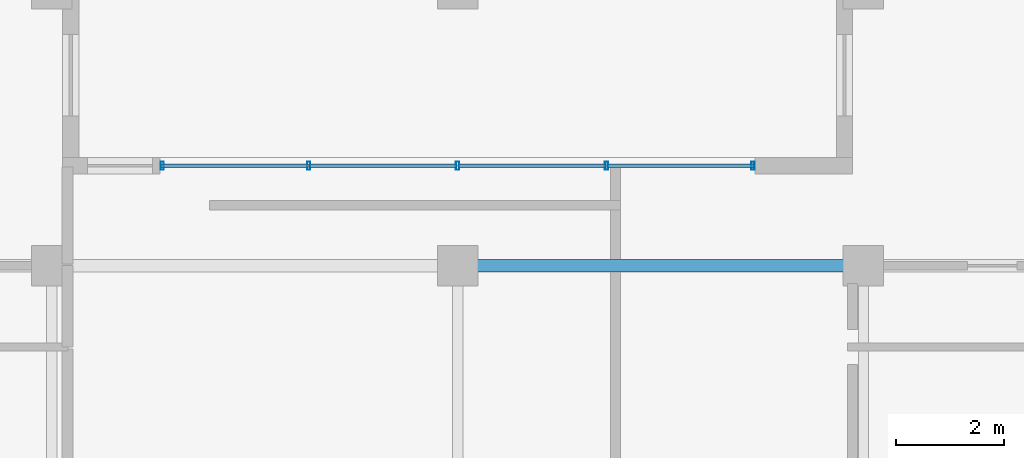
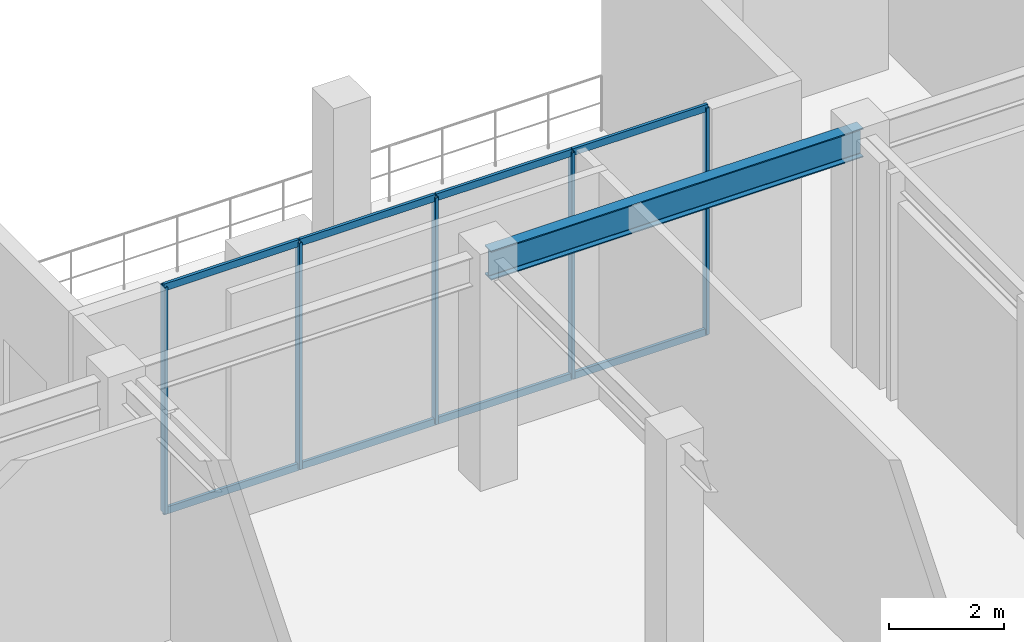
# One storey, part 2 of 11: 13 members, 1 beam, 1 element without a shape of its own.
"""IFC4 building model written with IfcOpenShell, lengths in metres."""

from ifc_helpers import new_model, si_unit, direction, frame, origin, origin_2d, place, context, subcontext, project, spatial, hollow_rectangle, i_section, extrude, material, material_profile, profile_set, type_object, element, aggregate, save


model = new_model("IFC4")

# Units and contexts
model_context = context("Model", 3, precision=1e-05, world=origin(), true_north=direction((0.0, 1.0)))
body_context = subcontext(model_context, "Body", "Model", "MODEL_VIEW")
ifc_project = project(units=[si_unit("LENGTHUNIT", "METRE"), si_unit("AREAUNIT", "SQUARE_METRE"), si_unit("VOLUMEUNIT", "CUBIC_METRE"), si_unit("PLANEANGLEUNIT", "RADIAN"), si_unit("MASSUNIT", "GRAM", prefix="KILO")], contexts=[model_context])

# Site, building, storey
site_placement = place(None, origin())
site = spatial("IfcSite", under=ifc_project, at=site_placement, CompositionType="ELEMENT")
building_placement = place(site_placement, origin())
building = spatial("IfcBuilding", under=site, at=building_placement, Name="Ventersveld Concourse Tower", CompositionType="ELEMENT")
storey_placement = place(building_placement, frame((0.0, 0.0, 140.14990234375)))
storey = spatial("IfcBuildingStorey", under=building, at=storey_placement, Name="L34", CompositionType="ELEMENT", Elevation=140.14990234375)

# Curtain wall, members
ifc_material_1 = material(Name="Anodised aluminium EN AW-6063-T6", Category="aluminium")
curtain_wall_type = type_object("IfcCurtainWallType", Name="CW-SG-4", PredefinedType="NOTDEFINED", material=ifc_material_1)
curtain_wall_placement = place(storey_placement, origin())
curtain_wall = element("IfcCurtainWall", 1, at=curtain_wall_placement, inside=storey, type_object=curtain_wall_type, Name="L34 L34 Sky Garden Recessed Curtain Wall", PredefinedType="NOTDEFINED")
ifc_material_profile_1 = material_profile(ifc_material_1, hollow_rectangle(XDim=0.06005859375, YDim=0.14990234375, WallThickness=0.00390625, at=origin_2d()), Name="ALU 150x60x4")
ifc_profile_set_1 = profile_set([ifc_material_profile_1], Name="Anodised aluminium EN AW-6063-T6")
member_type_1 = type_object("IfcMemberType", Name="CWM-150x65", PredefinedType="MULLION", material=ifc_profile_set_1)
member_1_placement = place(storey_placement, frame((23.2900390625, 36.85009765625, 0.0), z_axis=(0.0, 0.0, 1.0), x_axis=(1.0, 0.0, 0.0)))
member_1 = element("IfcMember", 2, at=member_1_placement, type_object=member_type_1, Name="CW-L34-SG Mullion 01", PredefinedType="MULLION", context=body_context, shape_type="SweptSolid", body=[
    extrude(hollow_rectangle(XDim=0.06005859375, YDim=0.14990234375, WallThickness=0.00390625, at=origin_2d()), origin(), (0.0, 0.0, 1.0), 4.830078125),
])
member_2_placement = place(storey_placement, frame((26.0, 36.85009765625, 0.0), z_axis=(0.0, 0.0, 1.0), x_axis=(1.0, 0.0, 0.0)))
member_2 = element("IfcMember", 3, at=member_2_placement, type_object=member_type_1, Name="CW-L34-SG Mullion 02", PredefinedType="MULLION", context=body_context, shape_type="SweptSolid", body=[
    extrude(hollow_rectangle(XDim=0.06005859375, YDim=0.14990234375, WallThickness=0.00390625, at=origin_2d()), origin(), (0.0, 0.0, 1.0), 4.830078125),
])
member_3_placement = place(storey_placement, frame((28.75, 36.85009765625, 0.0), z_axis=(0.0, 0.0, 1.0), x_axis=(1.0, 0.0, 0.0)))
member_3 = element("IfcMember", 4, at=member_3_placement, type_object=member_type_1, Name="CW-L34-SG Mullion 03", PredefinedType="MULLION", context=body_context, shape_type="SweptSolid", body=[
    extrude(hollow_rectangle(XDim=0.06005859375, YDim=0.14990234375, WallThickness=0.00390625, at=origin_2d()), origin(), (0.0, 0.0, 1.0), 4.830078125),
])
member_4_placement = place(storey_placement, frame((31.5, 36.85009765625, 0.0), z_axis=(0.0, 0.0, 1.0), x_axis=(1.0, 0.0, 0.0)))
member_4 = element("IfcMember", 5, at=member_4_placement, type_object=member_type_1, Name="CW-L34-SG Mullion 04", PredefinedType="MULLION", context=body_context, shape_type="SweptSolid", body=[
    extrude(hollow_rectangle(XDim=0.06005859375, YDim=0.14990234375, WallThickness=0.00390625, at=origin_2d()), origin(), (0.0, 0.0, 1.0), 4.830078125),
])
member_5_placement = place(storey_placement, frame((34.2099609375, 36.85009765625, 0.0), z_axis=(0.0, 0.0, 1.0), x_axis=(1.0, 0.0, 0.0)))
member_5 = element("IfcMember", 6, at=member_5_placement, type_object=member_type_1, Name="CW-L34-SG Mullion 05", PredefinedType="MULLION", context=body_context, shape_type="SweptSolid", body=[
    extrude(hollow_rectangle(XDim=0.06005859375, YDim=0.14990234375, WallThickness=0.00390625, at=origin_2d()), origin(), (0.0, 0.0, 1.0), 4.830078125),
])
ifc_material_profile_2 = material_profile(ifc_material_1, hollow_rectangle(XDim=0.06005859375, YDim=0.14990234375, WallThickness=0.00390625, at=origin_2d()), Name="ALU 150x60x4")
ifc_profile_set_2 = profile_set([ifc_material_profile_2], Name="Anodised aluminium EN AW-6063-T6")
member_type_2 = type_object("IfcMemberType", Name="CWT-150x60", PredefinedType="USERDEFINED", material=ifc_profile_set_2)
member_6_placement = place(storey_placement, frame((23.27001953125, 36.85009765625, 0.030029296875), z_axis=(1.0, 0.0, 0.0), x_axis=(0.0, 1.0, 0.0)))
member_6 = element("IfcMember", 7, at=member_6_placement, type_object=member_type_2, Name="CW-L34-SG Transom 1-01", ObjectType="TRANSOM", PredefinedType="USERDEFINED", context=body_context, shape_type="SweptSolid", body=[
    extrude(hollow_rectangle(XDim=0.06005859375, YDim=0.14990234375, WallThickness=0.00390625, at=origin_2d()), origin(), (0.0, 0.0, 1.0), 2.719970703125),
])
member_7_placement = place(storey_placement, frame((26.010009765625, 36.85009765625, 0.030029296875), z_axis=(1.0, 0.0, 0.0), x_axis=(0.0, 1.0, 0.0)))
member_7 = element("IfcMember", 8, at=member_7_placement, type_object=member_type_2, Name="CW-L34-SG Transom 1-02", ObjectType="TRANSOM", PredefinedType="USERDEFINED", context=body_context, shape_type="SweptSolid", body=[
    extrude(hollow_rectangle(XDim=0.06005859375, YDim=0.14990234375, WallThickness=0.00390625, at=origin_2d()), origin(), (0.0, 0.0, 1.0), 2.72998046875),
])
member_8_placement = place(storey_placement, frame((28.760009765625, 36.85009765625, 0.030029296875), z_axis=(1.0, 0.0, 0.0), x_axis=(0.0, 1.0, 0.0)))
member_8 = element("IfcMember", 9, at=member_8_placement, type_object=member_type_2, Name="CW-L34-SG Transom 1-03", ObjectType="TRANSOM", PredefinedType="USERDEFINED", context=body_context, shape_type="SweptSolid", body=[
    extrude(hollow_rectangle(XDim=0.06005859375, YDim=0.14990234375, WallThickness=0.00390625, at=origin_2d()), origin(), (0.0, 0.0, 1.0), 2.72998046875),
])
member_9_placement = place(storey_placement, frame((31.510009765625, 36.85009765625, 0.030029296875), z_axis=(1.0, 0.0, 0.0), x_axis=(0.0, 1.0, 0.0)))
member_9 = element("IfcMember", 10, at=member_9_placement, type_object=member_type_2, Name="CW-L34-SG Transom 1-04", ObjectType="TRANSOM", PredefinedType="USERDEFINED", context=body_context, shape_type="SweptSolid", body=[
    extrude(hollow_rectangle(XDim=0.06005859375, YDim=0.14990234375, WallThickness=0.00390625, at=origin_2d()), origin(), (0.0, 0.0, 1.0), 2.719970703125),
])
member_10_placement = place(storey_placement, frame((23.27001953125, 36.85009765625, 4.800048828125), z_axis=(1.0, 0.0, 0.0), x_axis=(0.0, 1.0, 0.0)))
member_10 = element("IfcMember", 11, at=member_10_placement, type_object=member_type_2, Name="CW-L34-SG Transom 2-01", ObjectType="TRANSOM", PredefinedType="USERDEFINED", context=body_context, shape_type="SweptSolid", body=[
    extrude(hollow_rectangle(XDim=0.06005859375, YDim=0.14990234375, WallThickness=0.00390625, at=origin_2d()), origin(), (0.0, 0.0, 1.0), 2.719970703125),
])
member_11_placement = place(storey_placement, frame((26.010009765625, 36.85009765625, 4.800048828125), z_axis=(1.0, 0.0, 0.0), x_axis=(0.0, 1.0, 0.0)))
member_11 = element("IfcMember", 12, at=member_11_placement, type_object=member_type_2, Name="CW-L34-SG Transom 2-02", ObjectType="TRANSOM", PredefinedType="USERDEFINED", context=body_context, shape_type="SweptSolid", body=[
    extrude(hollow_rectangle(XDim=0.06005859375, YDim=0.14990234375, WallThickness=0.00390625, at=origin_2d()), origin(), (0.0, 0.0, 1.0), 2.72998046875),
])
member_12_placement = place(storey_placement, frame((28.760009765625, 36.85009765625, 4.800048828125), z_axis=(1.0, 0.0, 0.0), x_axis=(0.0, 1.0, 0.0)))
member_12 = element("IfcMember", 13, at=member_12_placement, type_object=member_type_2, Name="CW-L34-SG Transom 2-03", ObjectType="TRANSOM", PredefinedType="USERDEFINED", context=body_context, shape_type="SweptSolid", body=[
    extrude(hollow_rectangle(XDim=0.06005859375, YDim=0.14990234375, WallThickness=0.00390625, at=origin_2d()), origin(), (0.0, 0.0, 1.0), 2.72998046875),
])
member_13_placement = place(storey_placement, frame((31.510009765625, 36.85009765625, 4.800048828125), z_axis=(1.0, 0.0, 0.0), x_axis=(0.0, 1.0, 0.0)))
member_13 = element("IfcMember", 14, at=member_13_placement, type_object=member_type_2, Name="CW-L34-SG Transom 2-04", ObjectType="TRANSOM", PredefinedType="USERDEFINED", context=body_context, shape_type="SweptSolid", body=[
    extrude(hollow_rectangle(XDim=0.06005859375, YDim=0.14990234375, WallThickness=0.00390625, at=origin_2d()), origin(), (0.0, 0.0, 1.0), 2.719970703125),
])
aggregate(curtain_wall, [member_1, member_2, member_3, member_4, member_5, member_6, member_7, member_8, member_9, member_10, member_11, member_12, member_13])

# Beam
ifc_material_2 = material(Name="Structural steel S355J2", Category="steel")
ifc_material_profile_3 = material_profile(ifc_material_2, i_section(OverallWidth=0.230224609375, OverallDepth=0.6171875, WebThickness=0.01318359375, FlangeThickness=0.022216796875, FilletRadius=0.0126953125, at=origin_2d()), Name="UB 610x229x140")
ifc_profile_set_3 = profile_set([ifc_material_profile_3], Name="Structural steel S355J2")
beam_type = type_object("IfcBeamType", Name="GRD-UB610", PredefinedType="USERDEFINED", material=ifc_profile_set_3)
beam_placement = place(storey_placement, frame((28.75, 35.0, 4.521484375), z_axis=(1.0, 0.0, 0.0), x_axis=(0.0, 1.0, 0.0)))
element("IfcBeam", 15, at=beam_placement, inside=storey, type_object=beam_type, Name="L34 E-W Grid Girder Y=35.00 #4", ObjectType="GIRDER", PredefinedType="USERDEFINED", context=body_context, shape_type="SweptSolid", body=[
    extrude(i_section(OverallWidth=0.230224609375, OverallDepth=0.6171875, WebThickness=0.01318359375, FlangeThickness=0.022216796875, FilletRadius=0.0126953125, at=origin_2d()), origin(), (0.0, 0.0, 1.0), 7.5),
])

save(model, "model.ifc")
